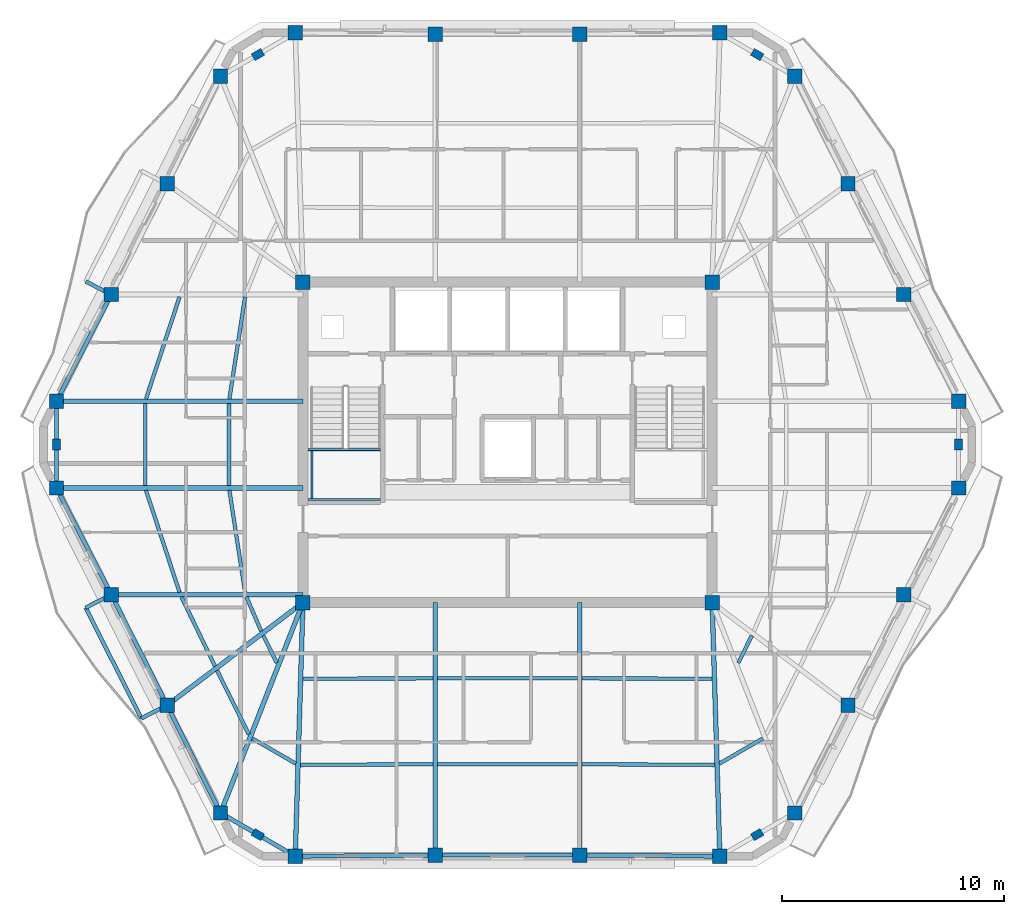
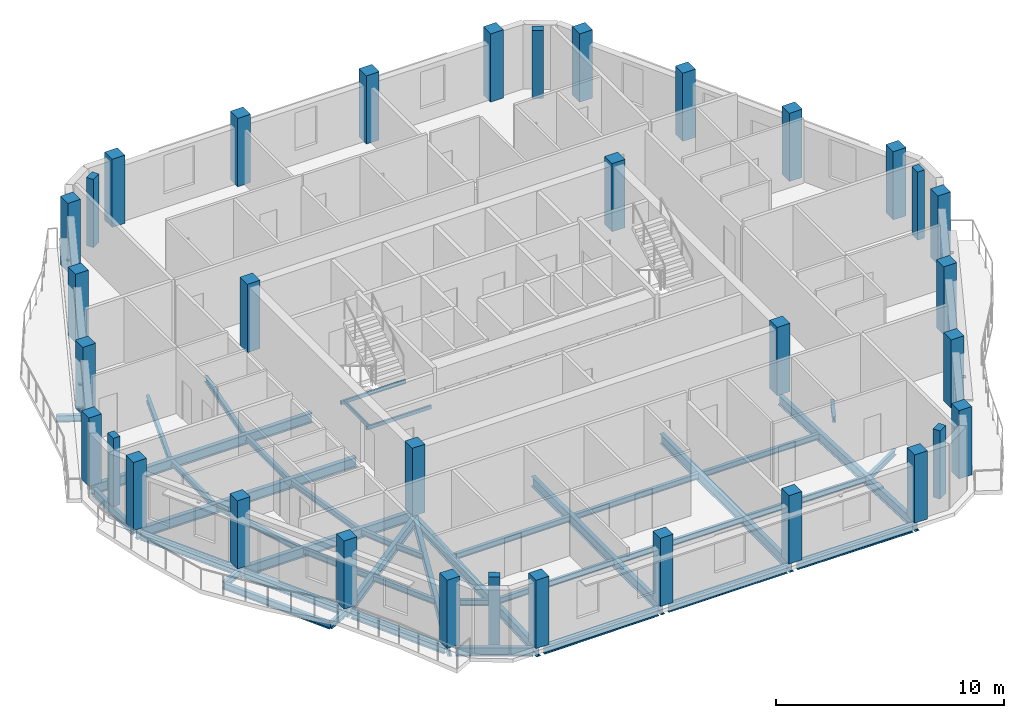
# One storey, part 1 of 11: 44 beams, 34 columns.
"""IFC4 building model written with IfcOpenShell, lengths in metres."""

from ifc_helpers import new_model, si_unit, direction, frame, origin, origin_2d, place, context, subcontext, project, spatial, rectangle, hollow_rectangle, i_section, extrude, material, material_profile, profile_set, type_object, element, save


model = new_model("IFC4")

# Units and contexts
model_context = context("Model", 3, precision=1e-05, world=origin(), true_north=direction((0.0, 1.0)))
body_context = subcontext(model_context, "Body", "Model", "MODEL_VIEW")
ifc_project = project(units=[si_unit("LENGTHUNIT", "METRE"), si_unit("AREAUNIT", "SQUARE_METRE"), si_unit("VOLUMEUNIT", "CUBIC_METRE"), si_unit("PLANEANGLEUNIT", "RADIAN"), si_unit("MASSUNIT", "GRAM", prefix="KILO")], contexts=[model_context])

# Site, building, storey
site_placement = place(None, origin())
site = spatial("IfcSite", under=ifc_project, at=site_placement, CompositionType="ELEMENT")
building_placement = place(site_placement, origin())
building = spatial("IfcBuilding", under=site, at=building_placement, Name="Cinnabar Lancet Tower", CompositionType="ELEMENT")
storey_placement = place(building_placement, frame((0.0, 0.0, 259.85009765625)))
storey = spatial("IfcBuildingStorey", under=building, at=storey_placement, Name="L69", CompositionType="ELEMENT", Elevation=259.85009765625)

# Columns
ifc_material_1 = material(Name="Concrete C50/60", Category="concrete")
ifc_material_profile_1 = material_profile(ifc_material_1, rectangle(XDim=0.64990234375, YDim=0.64990234375, at=origin_2d()), Name="RC-COL 650x650")
ifc_profile_set_1 = profile_set([ifc_material_profile_1], Name="Concrete C50/60")
column_type_1 = type_object("IfcColumnType", Name="STR-COL-CORE-650B", PredefinedType="COLUMN", material=ifc_profile_set_1)
for number, where, z_axis, x_axis, name in (
    (1, (23.175048828125, 18.675048828125, 0.0), (0.0, 0.0, 1.0), (1.0, 0.0, 0.0), "L69 Core Corner Column SW"),
    (2, (41.625, 18.675048828125, 0.0), (0.0, 0.0, 1.0), (1.0, 0.0, 0.0), "L69 Core Corner Column SE"),
    (3, (41.625, 33.125, 0.0), (0.0, 0.0, 1.0), (1.0, 0.0, 0.0), "L69 Core Corner Column NE"),
    (4, (23.175048828125, 33.125, 0.0), (0.0, 0.0, 1.0), (1.0, 0.0, 0.0), "L69 Core Corner Column NW"),
):
    element("IfcColumn", number, at=place(storey_placement, frame(where, z_axis=z_axis, x_axis=x_axis)), inside=storey, type_object=column_type_1, Name=name, PredefinedType="COLUMN", context=body_context, shape_type="SweptSolid", body=[
        extrude(rectangle(XDim=0.64990234375, YDim=0.64990234375, at=origin_2d()), origin(), (0.0, 0.0, 1.0), 3.64990234375),
    ])
ifc_material_2 = material(Name="Concrete C60/75", Category="concrete")
ifc_material_profile_2 = material_profile(ifc_material_2, rectangle(XDim=0.5, YDim=0.35009765625, at=origin_2d()), Name="RC-PIL 500x350")
ifc_profile_set_2 = profile_set([ifc_material_profile_2], Name="Concrete C60/75")
column_type_2 = type_object("IfcColumnType", Name="STR-COL-PIL-500", PredefinedType="PILASTER", material=ifc_profile_set_2)
for number, where, z_axis, x_axis, name in (
    (5, (21.14306640625, 8.215087890625, 0.0), (0.0, 0.0, 1.0), (0.865256437757, -0.501329529272, 0.0), "L69 Chamfered Corner Pilaster 1"),
    (6, (43.656982421875, 8.215087890625, 0.0), (0.0, 0.0, 1.0), (0.865256437757, 0.501329529272, 0.0), "L69 Chamfered Corner Pilaster 2"),
    (7, (52.737060546875, 25.800048828125, 0.0), (0.0, 0.0, 1.0), (0.0, 1.0, 0.0), "L69 Chamfered Corner Pilaster 3"),
    (8, (43.656982421875, 43.385009765625, 0.0), (0.0, 0.0, 1.0), (-0.865256437757, 0.501329529272, 0.0), "L69 Chamfered Corner Pilaster 4"),
    (9, (21.14306640625, 43.385009765625, 0.0), (0.0, 0.0, 1.0), (-0.865256437757, -0.501329529272, 0.0), "L69 Chamfered Corner Pilaster 5"),
    (10, (12.06298828125, 25.800048828125, 0.0), (0.0, 0.0, 1.0), (0.0, -1.0, 0.0), "L69 Chamfered Corner Pilaster 6"),
):
    element("IfcColumn", number, at=place(storey_placement, frame(where, z_axis=z_axis, x_axis=x_axis)), inside=storey, type_object=column_type_2, Name=name, PredefinedType="PILASTER", context=body_context, shape_type="SweptSolid", body=[
        extrude(rectangle(XDim=0.5, YDim=0.35009765625, at=origin_2d()), origin(), (0.0, 0.0, 1.0), 3.64990234375),
    ])
ifc_material_3 = material(Name="Concrete C50/60", Category="concrete")
ifc_material_profile_3 = material_profile(ifc_material_3, rectangle(XDim=0.64990234375, YDim=0.64990234375, at=origin_2d()), Name="RC-COL 650x650")
ifc_profile_set_3 = profile_set([ifc_material_profile_3], Name="Concrete C50/60")
column_type_3 = type_object("IfcColumnType", Name="STR-COL-TUBE-650", PredefinedType="COLUMN", material=ifc_profile_set_3)
for number, where, z_axis, x_axis, name in (
    (11, (22.827880859375, 7.239013671875, 0.0), (0.0, 0.0, 1.0), (1.0, 0.0, 0.0), "L69 Perimeter Tube Column 1"),
    (12, (29.14599609375, 7.2919921875, 0.0), (0.0, 0.0, 1.0), (1.0, 0.0, 0.0), "L69 Perimeter Tube Column 2"),
    (13, (35.654052734375, 7.2919921875, 0.0), (0.0, 0.0, 1.0), (1.0, 0.0, 0.0), "L69 Perimeter Tube Column 3"),
    (14, (41.971923828125, 7.239013671875, 0.0), (0.0, 0.0, 1.0), (1.0, 0.0, 0.0), "L69 Perimeter Tube Column 4"),
    (15, (45.341064453125, 9.19091796875, 0.0), (0.0, 0.0, 1.0), (1.0, 0.0, 0.0), "L69 Perimeter Tube Column 5"),
    (16, (47.7490234375, 14.0458984375, 0.0), (0.0, 0.0, 1.0), (1.0, 0.0, 0.0), "L69 Perimeter Tube Column 6"),
    (17, (50.263916015625, 19.032958984375, 0.0), (0.0, 0.0, 1.0), (1.0, 0.0, 0.0), "L69 Perimeter Tube Column 7"),
    (18, (52.737060546875, 23.844970703125, 0.0), (0.0, 0.0, 1.0), (1.0, 0.0, 0.0), "L69 Perimeter Tube Column 8"),
    (19, (52.737060546875, 27.7548828125, 0.0), (0.0, 0.0, 1.0), (1.0, 0.0, 0.0), "L69 Perimeter Tube Column 9"),
    (20, (50.263916015625, 32.56689453125, 0.0), (0.0, 0.0, 1.0), (1.0, 0.0, 0.0), "L69 Perimeter Tube Column 10"),
    (21, (47.7490234375, 37.553955078125, 0.0), (0.0, 0.0, 1.0), (1.0, 0.0, 0.0), "L69 Perimeter Tube Column 11"),
    (22, (45.341064453125, 42.408935546875, 0.0), (0.0, 0.0, 1.0), (1.0, 0.0, 0.0), "L69 Perimeter Tube Column 12"),
    (23, (41.971923828125, 44.361083984375, 0.0), (0.0, 0.0, 1.0), (1.0, 0.0, 0.0), "L69 Perimeter Tube Column 13"),
    (24, (35.654052734375, 44.30810546875, 0.0), (0.0, 0.0, 1.0), (1.0, 0.0, 0.0), "L69 Perimeter Tube Column 14"),
    (25, (29.14599609375, 44.30810546875, 0.0), (0.0, 0.0, 1.0), (1.0, 0.0, 0.0), "L69 Perimeter Tube Column 15"),
    (26, (22.827880859375, 44.361083984375, 0.0), (0.0, 0.0, 1.0), (1.0, 0.0, 0.0), "L69 Perimeter Tube Column 16"),
    (27, (19.458984375, 42.408935546875, 0.0), (0.0, 0.0, 1.0), (1.0, 0.0, 0.0), "L69 Perimeter Tube Column 17"),
    (28, (17.051025390625, 37.553955078125, 0.0), (0.0, 0.0, 1.0), (1.0, 0.0, 0.0), "L69 Perimeter Tube Column 18"),
    (29, (14.535888671875, 32.56689453125, 0.0), (0.0, 0.0, 1.0), (1.0, 0.0, 0.0), "L69 Perimeter Tube Column 19"),
    (30, (12.06298828125, 27.7548828125, 0.0), (0.0, 0.0, 1.0), (1.0, 0.0, 0.0), "L69 Perimeter Tube Column 20"),
    (31, (12.06298828125, 23.844970703125, 0.0), (0.0, 0.0, 1.0), (1.0, 0.0, 0.0), "L69 Perimeter Tube Column 21"),
    (32, (14.535888671875, 19.032958984375, 0.0), (0.0, 0.0, 1.0), (1.0, 0.0, 0.0), "L69 Perimeter Tube Column 22"),
    (33, (17.051025390625, 14.0458984375, 0.0), (0.0, 0.0, 1.0), (1.0, 0.0, 0.0), "L69 Perimeter Tube Column 23"),
    (34, (19.458984375, 9.19091796875, 0.0), (0.0, 0.0, 1.0), (1.0, 0.0, 0.0), "L69 Perimeter Tube Column 24"),
):
    element("IfcColumn", number, at=place(storey_placement, frame(where, z_axis=z_axis, x_axis=x_axis)), inside=storey, type_object=column_type_3, Name=name, PredefinedType="COLUMN", context=body_context, shape_type="SweptSolid", body=[
        extrude(rectangle(XDim=0.64990234375, YDim=0.64990234375, at=origin_2d()), origin(), (0.0, 0.0, 1.0), 3.64990234375),
    ])

# Beams
ifc_material_4 = material(Name="Structural steel S355", Category="steel")
ifc_material_profile_4 = material_profile(ifc_material_4, i_section(OverallWidth=0.1650390625, OverallDepth=0.303466796875, WebThickness=0.006103515625, FlangeThickness=0.01025390625, FilletRadius=0.0087890625, at=origin_2d()), Name="UKB 305x165x40")
ifc_profile_set_4 = profile_set([ifc_material_profile_4], Name="Structural steel S355")
beam_type_1 = type_object("IfcBeamType", Name="STR-BM-JST-305", PredefinedType="JOIST", material=ifc_profile_set_4)
beam_1_placement = place(storey_placement, frame((16.097900390625, 23.739990234375, -0.35205078125), z_axis=(0.312536616989, -0.949905712711, 0.0), x_axis=(0.949905712711, 0.312536616989, 0.0)))
element("IfcBeam", 35, at=beam_1_placement, inside=storey, type_object=beam_type_1, Name="L69 Secondary Floor Joist 1", PredefinedType="JOIST", context=body_context, shape_type="SweptSolid", body=[
    extrude(i_section(OverallWidth=0.1650390625, OverallDepth=0.303466796875, WebThickness=0.006103515625, FlangeThickness=0.01025390625, FilletRadius=0.0087890625, at=origin_2d()), origin(), (0.0, 0.0, 1.0), 4.8447265625),
])
beam_2_placement = place(storey_placement, frame((19.85791015625, 23.739990234375, -0.35205078125), z_axis=(0.152262059154, -0.988340156698, 0.0), x_axis=(0.988340156698, 0.152262059154, 0.0)))
element("IfcBeam", 36, at=beam_2_placement, inside=storey, type_object=beam_type_1, Name="L69 Secondary Floor Joist 2", PredefinedType="JOIST", context=body_context, shape_type="SweptSolid", body=[
    extrude(i_section(OverallWidth=0.1650390625, OverallDepth=0.303466796875, WebThickness=0.006103515625, FlangeThickness=0.01025390625, FilletRadius=0.0087890625, at=origin_2d()), origin(), (0.0, 0.0, 1.0), 4.65625),
])
beam_3_placement = place(storey_placement, frame((17.697021484375, 18.927978515625, -0.35205078125), z_axis=(0.43610936109, -0.899893674369, 0.0), x_axis=(0.899893674369, 0.43610936109, 0.0)))
element("IfcBeam", 37, at=beam_3_placement, inside=storey, type_object=beam_type_1, Name="L69 Secondary Floor Joist 3", PredefinedType="JOIST", context=body_context, shape_type="SweptSolid", body=[
    extrude(i_section(OverallWidth=0.1650390625, OverallDepth=0.303466796875, WebThickness=0.006103515625, FlangeThickness=0.01025390625, FilletRadius=0.0087890625, at=origin_2d()), origin(), (0.0, 0.0, 1.0), 3.467041015625),
])
beam_4_placement = place(storey_placement, frame((20.62890625, 18.927978515625, -0.35205078125), z_axis=(0.396302440144, -0.91812002262, 0.0), x_axis=(0.91812002262, 0.396302440144, 0.0)))
element("IfcBeam", 38, at=beam_4_placement, inside=storey, type_object=beam_type_1, Name="L69 Secondary Floor Joist 4", PredefinedType="JOIST", context=body_context, shape_type="SweptSolid", body=[
    extrude(i_section(OverallWidth=0.1650390625, OverallDepth=0.303466796875, WebThickness=0.006103515625, FlangeThickness=0.01025390625, FilletRadius=0.0087890625, at=origin_2d()), origin(), (0.0, 0.0, 1.0), 1.6806640625),
])
beam_5_placement = place(storey_placement, frame((19.302978515625, 15.616943359375, -0.35205078125), z_axis=(0.444330443712, -0.895862967641, 0.0), x_axis=(0.895862967641, 0.444330443712, 0.0)))
element("IfcBeam", 39, at=beam_5_placement, inside=storey, type_object=beam_type_1, Name="L69 Secondary Floor Joist 5", PredefinedType="JOIST", context=body_context, shape_type="SweptSolid", body=[
    extrude(i_section(OverallWidth=0.1650390625, OverallDepth=0.303466796875, WebThickness=0.006103515625, FlangeThickness=0.01025390625, FilletRadius=0.0087890625, at=origin_2d()), origin(), (0.0, 0.0, 1.0), 3.220458984375),
])
beam_6_placement = place(storey_placement, frame((21.385009765625, 17.19091796875, -0.35205078125), z_axis=(0.444093192127, -0.89598060063, 0.0), x_axis=(0.89598060063, 0.444093192127, 0.0)))
element("IfcBeam", 40, at=beam_6_placement, inside=storey, type_object=beam_type_1, Name="L69 Secondary Floor Joist 6", PredefinedType="JOIST", context=body_context, shape_type="SweptSolid", body=[
    extrude(i_section(OverallWidth=0.1650390625, OverallDepth=0.303466796875, WebThickness=0.006103515625, FlangeThickness=0.01025390625, FilletRadius=0.0087890625, at=origin_2d()), origin(), (0.0, 0.0, 1.0), 1.378173828125),
])
beam_7_placement = place(storey_placement, frame((20.887939453125, 12.552001953125, -0.35205078125), z_axis=(0.865426285481, -0.501036270542, 0.0), x_axis=(0.501036270542, 0.865426285481, 0.0)))
element("IfcBeam", 41, at=beam_7_placement, inside=storey, type_object=beam_type_1, Name="L69 Secondary Floor Joist 7", PredefinedType="JOIST", context=body_context, shape_type="SweptSolid", body=[
    extrude(i_section(OverallWidth=0.1650390625, OverallDepth=0.303466796875, WebThickness=0.006103515625, FlangeThickness=0.01025390625, FilletRadius=0.0087890625, at=origin_2d()), origin(), (0.0, 0.0, 1.0), 2.267333984375),
])
beam_8_placement = place(storey_placement, frame((23.05810546875, 11.35693359375, -0.35205078125), z_axis=(0.999985712428, 0.005345553266, 0.0), x_axis=(-0.005345553266, 0.999985712428, 0.0)))
element("IfcBeam", 42, at=beam_8_placement, inside=storey, type_object=beam_type_1, Name="L69 Secondary Floor Joist 8", PredefinedType="JOIST", context=body_context, shape_type="SweptSolid", body=[
    extrude(i_section(OverallWidth=0.1650390625, OverallDepth=0.303466796875, WebThickness=0.006103515625, FlangeThickness=0.01025390625, FilletRadius=0.0087890625, at=origin_2d()), origin(), (0.0, 0.0, 1.0), 5.98291015625),
])
beam_9_placement = place(storey_placement, frame((23.176025390625, 15.243896484375, -0.35205078125), z_axis=(0.999996226008, 0.002747356738, 0.0), x_axis=(-0.002747356738, 0.999996226008, 0.0)))
element("IfcBeam", 43, at=beam_9_placement, inside=storey, type_object=beam_type_1, Name="L69 Secondary Floor Joist 9", PredefinedType="JOIST", context=body_context, shape_type="SweptSolid", body=[
    extrude(i_section(OverallWidth=0.1650390625, OverallDepth=0.303466796875, WebThickness=0.006103515625, FlangeThickness=0.01025390625, FilletRadius=0.0087890625, at=origin_2d()), origin(), (0.0, 0.0, 1.0), 5.864990234375),
])
for number, where, z_axis, x_axis, name in (
    (44, (29.2509765625, 11.389892578125, -0.35205078125), (1.0, 0.0, 0.0), (0.0, 1.0, 0.0), "L69 Secondary Floor Joist 10"),
    (45, (29.2509765625, 15.260009765625, -0.35205078125), (1.0, 0.0, 0.0), (0.0, 1.0, 0.0), "L69 Secondary Floor Joist 11"),
):
    element("IfcBeam", number, at=place(storey_placement, frame(where, z_axis=z_axis, x_axis=x_axis)), inside=storey, type_object=beam_type_1, Name=name, PredefinedType="JOIST", context=body_context, shape_type="SweptSolid", body=[
        extrude(i_section(OverallWidth=0.1650390625, OverallDepth=0.303466796875, WebThickness=0.006103515625, FlangeThickness=0.01025390625, FilletRadius=0.0087890625, at=origin_2d()), origin(), (0.0, 0.0, 1.0), 6.298095703125),
    ])
beam_10_placement = place(storey_placement, frame((35.759033203125, 11.388916015625, -0.35205078125), z_axis=(0.999985712428, -0.005345553266, 0.0), x_axis=(0.005345553266, 0.999985712428, 0.0)))
element("IfcBeam", 46, at=beam_10_placement, inside=storey, type_object=beam_type_1, Name="L69 Secondary Floor Joist 12", PredefinedType="JOIST", context=body_context, shape_type="SweptSolid", body=[
    extrude(i_section(OverallWidth=0.1650390625, OverallDepth=0.303466796875, WebThickness=0.006103515625, FlangeThickness=0.01025390625, FilletRadius=0.0087890625, at=origin_2d()), origin(), (0.0, 0.0, 1.0), 5.98291015625),
])
beam_11_placement = place(storey_placement, frame((35.759033203125, 15.260009765625, -0.35205078125), z_axis=(0.999996226008, -0.002747356738, 0.0), x_axis=(0.002747356738, 0.999996226008, 0.0)))
element("IfcBeam", 47, at=beam_11_placement, inside=storey, type_object=beam_type_1, Name="L69 Secondary Floor Joist 13", PredefinedType="JOIST", context=body_context, shape_type="SweptSolid", body=[
    extrude(i_section(OverallWidth=0.1650390625, OverallDepth=0.303466796875, WebThickness=0.006103515625, FlangeThickness=0.01025390625, FilletRadius=0.0087890625, at=origin_2d()), origin(), (0.0, 0.0, 1.0), 5.864990234375),
])
beam_12_placement = place(storey_placement, frame((41.949951171875, 11.416015625, -0.35205078125), z_axis=(0.865426285481, 0.501036270542, 0.0), x_axis=(-0.501036270542, 0.865426285481, 0.0)))
element("IfcBeam", 48, at=beam_12_placement, inside=storey, type_object=beam_type_1, Name="L69 Secondary Floor Joist 14", PredefinedType="JOIST", context=body_context, shape_type="SweptSolid", body=[
    extrude(i_section(OverallWidth=0.1650390625, OverallDepth=0.303466796875, WebThickness=0.006103515625, FlangeThickness=0.01025390625, FilletRadius=0.0087890625, at=origin_2d()), origin(), (0.0, 0.0, 1.0), 2.267333984375),
])
beam_13_placement = place(storey_placement, frame((42.802978515625, 15.9560546875, -0.35205078125), z_axis=(0.444093192127, 0.89598060063, 0.0), x_axis=(-0.89598060063, 0.444093192127, 0.0)))
element("IfcBeam", 49, at=beam_13_placement, inside=storey, type_object=beam_type_1, Name="L69 Secondary Floor Joist 16", PredefinedType="JOIST", context=body_context, shape_type="SweptSolid", body=[
    extrude(i_section(OverallWidth=0.1650390625, OverallDepth=0.303466796875, WebThickness=0.006103515625, FlangeThickness=0.01025390625, FilletRadius=0.0087890625, at=origin_2d()), origin(), (0.0, 0.0, 1.0), 1.378173828125),
])
beam_14_placement = place(storey_placement, frame((17.612060546875, 32.4619140625, -0.35205078125), z_axis=(-0.312551578319, -0.949900790025, 0.0), x_axis=(0.949900790025, -0.312551578319, 0.0)))
element("IfcBeam", 50, at=beam_14_placement, inside=storey, type_object=beam_type_1, Name="L69 Secondary Floor Joist 41", PredefinedType="JOIST", context=body_context, shape_type="SweptSolid", body=[
    extrude(i_section(OverallWidth=0.1650390625, OverallDepth=0.303466796875, WebThickness=0.006103515625, FlangeThickness=0.01025390625, FilletRadius=0.0087890625, at=origin_2d()), origin(), (0.0, 0.0, 1.0), 4.844482421875),
])
beam_15_placement = place(storey_placement, frame((20.56689453125, 32.4619140625, -0.35205078125), z_axis=(-0.152269949853, -0.988338941038, 0.0), x_axis=(0.988338941038, -0.152269949853, 0.0)))
element("IfcBeam", 51, at=beam_15_placement, inside=storey, type_object=beam_type_1, Name="L69 Secondary Floor Joist 42", PredefinedType="JOIST", context=body_context, shape_type="SweptSolid", body=[
    extrude(i_section(OverallWidth=0.1650390625, OverallDepth=0.303466796875, WebThickness=0.006103515625, FlangeThickness=0.01025390625, FilletRadius=0.0087890625, at=origin_2d()), origin(), (0.0, 0.0, 1.0), 4.656005859375),
])
for number, where, z_axis, x_axis, name in (
    (52, (16.06298828125, 27.64990234375, -0.35205078125), (0.0, -1.0, 0.0), (1.0, 0.0, 0.0), "L69 Secondary Floor Joist 43"),
    (53, (19.841064453125, 27.64990234375, -0.35205078125), (0.0, -1.0, 0.0), (1.0, 0.0, 0.0), "L69 Secondary Floor Joist 44"),
):
    element("IfcBeam", number, at=place(storey_placement, frame(where, z_axis=z_axis, x_axis=x_axis)), inside=storey, type_object=beam_type_1, Name=name, PredefinedType="JOIST", context=body_context, shape_type="SweptSolid", body=[
        extrude(i_section(OverallWidth=0.1650390625, OverallDepth=0.303466796875, WebThickness=0.006103515625, FlangeThickness=0.01025390625, FilletRadius=0.0087890625, at=origin_2d()), origin(), (0.0, 0.0, 1.0), 3.699951171875),
    ])
ifc_material_5 = material(Name="Structural steel S355", Category="steel")
ifc_material_profile_5 = material_profile(ifc_material_5, hollow_rectangle(XDim=0.10009765625, YDim=0.199951171875, WallThickness=0.008056640625, InnerFilletRadius=0.00390625, OuterFilletRadius=0.011962890625, at=origin_2d()), Name="RHS 200x100x8")
ifc_profile_set_5 = profile_set([ifc_material_profile_5], Name="Structural steel S355")
beam_type_2 = type_object("IfcBeamType", Name="STR-BM-LND-203", PredefinedType="BEAM", material=ifc_profile_set_5)
for number, where, z_axis, x_axis, name in (
    (54, (23.39990234375, 23.330078125, 1.52490234375), (1.0, 0.0, 0.0), (0.0, 1.0, 0.0), "L69 ST-1-L69 Landing Support Beam S"),
    (55, (23.39990234375, 25.570068359375, 1.52490234375), (1.0, 0.0, 0.0), (0.0, 1.0, 0.0), "L69 ST-1-L69 Landing Support Beam N"),
):
    element("IfcBeam", number, at=place(storey_placement, frame(where, z_axis=z_axis, x_axis=x_axis)), inside=storey, type_object=beam_type_2, Name=name, PredefinedType="BEAM", context=body_context, shape_type="SweptSolid", body=[
        extrude(hollow_rectangle(XDim=0.10009765625, YDim=0.199951171875, WallThickness=0.008056640625, InnerFilletRadius=0.00390625, OuterFilletRadius=0.011962890625, at=origin_2d()), origin(), (0.0, 0.0, 1.0), 3.280029296875),
    ])
beam_16_placement = place(storey_placement, frame((23.580078125, 23.3798828125, 1.52490234375), z_axis=(0.0, 1.0, 0.0), x_axis=(-1.0, 0.0, 0.0)))
element("IfcBeam", 56, at=beam_16_placement, inside=storey, type_object=beam_type_2, Name="L69 ST-1-L69 Landing Side Trimmer Beam", PredefinedType="BEAM", context=body_context, shape_type="SweptSolid", body=[
    extrude(hollow_rectangle(XDim=0.10009765625, YDim=0.199951171875, WallThickness=0.008056640625, InnerFilletRadius=0.00390625, OuterFilletRadius=0.011962890625, at=origin_2d()), origin(), (0.0, 0.0, 1.0), 2.14013671875),
])
ifc_material_6 = material(Name="Structural steel S355", Category="steel")
ifc_material_profile_6 = material_profile(ifc_material_6, i_section(OverallWidth=0.1904296875, OverallDepth=0.45703125, WebThickness=0.009033203125, FlangeThickness=0.014404296875, FilletRadius=0.01025390625, at=origin_2d()), Name="UKB 457x191x74")
ifc_profile_set_6 = profile_set([ifc_material_profile_6], Name="Structural steel S355")
beam_type_3 = type_object("IfcBeamType", Name="STR-BM-SPN-457", PredefinedType="SPANDREL", material=ifc_profile_set_6)
beam_17_placement = place(storey_placement, frame((23.077880859375, 7.240966796875, -0.42919921875), z_axis=(0.999964432412, 0.008434092187, 0.0), x_axis=(-0.008434092187, 0.999964432412, 0.0)))
element("IfcBeam", 57, at=beam_17_placement, inside=storey, type_object=beam_type_3, Name="L69 Perimeter Spandrel 1", PredefinedType="SPANDREL", context=body_context, shape_type="SweptSolid", body=[
    extrude(i_section(OverallWidth=0.1904296875, OverallDepth=0.45703125, WebThickness=0.009033203125, FlangeThickness=0.014404296875, FilletRadius=0.01025390625, at=origin_2d()), origin(), (0.0, 0.0, 1.0), 5.818359375),
])
beam_18_placement = place(storey_placement, frame((29.39599609375, 7.2919921875, -0.42919921875), z_axis=(1.0, 0.0, 0.0), x_axis=(0.0, 1.0, 0.0)))
element("IfcBeam", 58, at=beam_18_placement, inside=storey, type_object=beam_type_3, Name="L69 Perimeter Spandrel 2", PredefinedType="SPANDREL", context=body_context, shape_type="SweptSolid", body=[
    extrude(i_section(OverallWidth=0.1904296875, OverallDepth=0.45703125, WebThickness=0.009033203125, FlangeThickness=0.014404296875, FilletRadius=0.01025390625, at=origin_2d()), origin(), (0.0, 0.0, 1.0), 6.008056640625),
])
beam_19_placement = place(storey_placement, frame((35.904052734375, 7.2900390625, -0.42919921875), z_axis=(0.999964429427, -0.00843444609, 0.0), x_axis=(0.00843444609, 0.999964429427, 0.0)))
element("IfcBeam", 59, at=beam_19_placement, inside=storey, type_object=beam_type_3, Name="L69 Perimeter Spandrel 3", PredefinedType="SPANDREL", context=body_context, shape_type="SweptSolid", body=[
    extrude(i_section(OverallWidth=0.1904296875, OverallDepth=0.45703125, WebThickness=0.009033203125, FlangeThickness=0.014404296875, FilletRadius=0.01025390625, at=origin_2d()), origin(), (0.0, 0.0, 1.0), 5.818115234375),
])
beam_20_placement = place(storey_placement, frame((14.422119140625, 32.344970703125, -0.42919921875), z_axis=(-0.457148063427, -0.889390604912, 0.0), x_axis=(0.889390604912, -0.457148063427, 0.0)))
element("IfcBeam", 60, at=beam_20_placement, inside=storey, type_object=beam_type_3, Name="L69 Perimeter Spandrel 19", PredefinedType="SPANDREL", context=body_context, shape_type="SweptSolid", body=[
    extrude(i_section(OverallWidth=0.1904296875, OverallDepth=0.45703125, WebThickness=0.009033203125, FlangeThickness=0.014404296875, FilletRadius=0.01025390625, at=origin_2d()), origin(), (0.0, 0.0, 1.0), 4.9111328125),
])
beam_21_placement = place(storey_placement, frame((12.06298828125, 27.5048828125, -0.42919921875), z_axis=(0.0, -1.0, 0.0), x_axis=(1.0, 0.0, 0.0)))
element("IfcBeam", 61, at=beam_21_placement, inside=storey, type_object=beam_type_3, Name="L69 Perimeter Spandrel 20", PredefinedType="SPANDREL", context=body_context, shape_type="SweptSolid", body=[
    extrude(i_section(OverallWidth=0.1904296875, OverallDepth=0.45703125, WebThickness=0.009033203125, FlangeThickness=0.014404296875, FilletRadius=0.01025390625, at=origin_2d()), origin(), (0.0, 0.0, 1.0), 3.409912109375),
])
beam_22_placement = place(storey_placement, frame((12.177001953125, 23.623046875, -0.42919921875), z_axis=(0.457127852293, -0.889400993174, 0.0), x_axis=(0.889400993174, 0.457127852293, 0.0)))
element("IfcBeam", 62, at=beam_22_placement, inside=storey, type_object=beam_type_3, Name="L69 Perimeter Spandrel 21", PredefinedType="SPANDREL", context=body_context, shape_type="SweptSolid", body=[
    extrude(i_section(OverallWidth=0.1904296875, OverallDepth=0.45703125, WebThickness=0.009033203125, FlangeThickness=0.014404296875, FilletRadius=0.01025390625, at=origin_2d()), origin(), (0.0, 0.0, 1.0), 4.911376953125),
])
beam_23_placement = place(storey_placement, frame((14.64892578125, 18.81005859375, -0.42919921875), z_axis=(0.450130146726, -0.892962961722, 0.0), x_axis=(0.892962961722, 0.450130146726, 0.0)))
element("IfcBeam", 63, at=beam_23_placement, inside=storey, type_object=beam_type_3, Name="L69 Perimeter Spandrel 22", PredefinedType="SPANDREL", context=body_context, shape_type="SweptSolid", body=[
    extrude(i_section(OverallWidth=0.1904296875, OverallDepth=0.45703125, WebThickness=0.009033203125, FlangeThickness=0.014404296875, FilletRadius=0.01025390625, at=origin_2d()), origin(), (0.0, 0.0, 1.0), 5.08544921875),
])
beam_24_placement = place(storey_placement, frame((17.162109375, 13.822021484375, -0.42919921875), z_axis=(0.44433276947, -0.895861814107, 0.0), x_axis=(0.895861814107, 0.44433276947, 0.0)))
element("IfcBeam", 64, at=beam_24_placement, inside=storey, type_object=beam_type_3, Name="L69 Perimeter Spandrel 23", PredefinedType="SPANDREL", context=body_context, shape_type="SweptSolid", body=[
    extrude(i_section(OverallWidth=0.1904296875, OverallDepth=0.45703125, WebThickness=0.009033203125, FlangeThickness=0.014404296875, FilletRadius=0.01025390625, at=origin_2d()), origin(), (0.0, 0.0, 1.0), 4.919189453125),
])
beam_25_placement = place(storey_placement, frame((19.675048828125, 9.06591796875, -0.42919921875), z_axis=(0.865230894194, -0.50137361292, 0.0), x_axis=(0.50137361292, 0.865230894194, 0.0)))
element("IfcBeam", 65, at=beam_25_placement, inside=storey, type_object=beam_type_3, Name="L69 Perimeter Spandrel 24", PredefinedType="SPANDREL", context=body_context, shape_type="SweptSolid", body=[
    extrude(i_section(OverallWidth=0.1904296875, OverallDepth=0.45703125, WebThickness=0.009033203125, FlangeThickness=0.014404296875, FilletRadius=0.01025390625, at=origin_2d()), origin(), (0.0, 0.0, 1.0), 3.39453125),
])
ifc_material_7 = material(Name="Structural steel S355", Category="steel")
ifc_material_profile_7 = material_profile(ifc_material_7, i_section(OverallWidth=0.209228515625, OverallDepth=0.533203125, WebThickness=0.010009765625, FlangeThickness=0.015625, FilletRadius=0.0126953125, at=origin_2d()), Name="UKB 533x210x92")
ifc_profile_set_7 = profile_set([ifc_material_profile_7], Name="Structural steel S355")
beam_type_4 = type_object("IfcBeamType", Name="STR-BM-UKB533-92", PredefinedType="BEAM", material=ifc_profile_set_7)
beam_26_placement = place(storey_placement, frame((17.051025390625, 14.0458984375, -0.467041015625), z_axis=(0.797735075719, 0.603008083667, 0.0), x_axis=(-0.603008083667, 0.797735075719, 0.0)))
element("IfcBeam", 66, at=beam_26_placement, inside=storey, type_object=beam_type_4, Name="L69 Corner Collector Girder 1", PredefinedType="BEAM", context=body_context, shape_type="SweptSolid", body=[
    extrude(i_section(OverallWidth=0.209228515625, OverallDepth=0.533203125, WebThickness=0.010009765625, FlangeThickness=0.015625, FilletRadius=0.0126953125, at=origin_2d()), origin(), (0.0, 0.0, 1.0), 7.6767578125),
])
beam_27_placement = place(storey_placement, frame((22.827880859375, 7.239013671875, -0.467041015625), z_axis=(0.030343393029, 0.999539533235, 0.0), x_axis=(-0.999539533235, 0.030343393029, 0.0)))
element("IfcBeam", 67, at=beam_27_placement, inside=storey, type_object=beam_type_4, Name="L69 Primary Floor Girder 1", PredefinedType="BEAM", context=body_context, shape_type="SweptSolid", body=[
    extrude(i_section(OverallWidth=0.209228515625, OverallDepth=0.533203125, WebThickness=0.010009765625, FlangeThickness=0.015625, FilletRadius=0.0126953125, at=origin_2d()), origin(), (0.0, 0.0, 1.0), 11.44140625),
])
for number, where, z_axis, x_axis, name in (
    (68, (29.14599609375, 7.2919921875, -0.467041015625), (0.0, 1.0, 0.0), (-1.0, 0.0, 0.0), "L69 Primary Floor Girder 2"),
    (69, (35.654052734375, 7.2919921875, -0.467041015625), (0.0, 1.0, 0.0), (-1.0, 0.0, 0.0), "L69 Primary Floor Girder 3"),
):
    element("IfcBeam", number, at=place(storey_placement, frame(where, z_axis=z_axis, x_axis=x_axis)), inside=storey, type_object=beam_type_4, Name=name, PredefinedType="BEAM", context=body_context, shape_type="SweptSolid", body=[
        extrude(i_section(OverallWidth=0.209228515625, OverallDepth=0.533203125, WebThickness=0.010009765625, FlangeThickness=0.015625, FilletRadius=0.0126953125, at=origin_2d()), origin(), (0.0, 0.0, 1.0), 11.383056640625),
    ])
beam_28_placement = place(storey_placement, frame((41.971923828125, 7.239013671875, -0.467041015625), z_axis=(-0.030322074123, 0.999540180193, 0.0), x_axis=(-0.999540180193, -0.030322074123, 0.0)))
element("IfcBeam", 70, at=beam_28_placement, inside=storey, type_object=beam_type_4, Name="L69 Primary Floor Girder 4", PredefinedType="BEAM", context=body_context, shape_type="SweptSolid", body=[
    extrude(i_section(OverallWidth=0.209228515625, OverallDepth=0.533203125, WebThickness=0.010009765625, FlangeThickness=0.015625, FilletRadius=0.0126953125, at=origin_2d()), origin(), (0.0, 0.0, 1.0), 11.44140625),
])
for number, where, z_axis, x_axis, name in (
    (71, (12.06298828125, 27.7548828125, -0.467041015625), (1.0, 0.0, 0.0), (0.0, 1.0, 0.0), "L69 Primary Floor Girder 20"),
    (72, (12.06298828125, 23.844970703125, -0.467041015625), (1.0, 0.0, 0.0), (0.0, 1.0, 0.0), "L69 Primary Floor Girder 21"),
):
    element("IfcBeam", number, at=place(storey_placement, frame(where, z_axis=z_axis, x_axis=x_axis)), inside=storey, type_object=beam_type_4, Name=name, PredefinedType="BEAM", context=body_context, shape_type="SweptSolid", body=[
        extrude(i_section(OverallWidth=0.209228515625, OverallDepth=0.533203125, WebThickness=0.010009765625, FlangeThickness=0.015625, FilletRadius=0.0126953125, at=origin_2d()), origin(), (0.0, 0.0, 1.0), 11.112060546875),
    ])
beam_29_placement = place(storey_placement, frame((14.535888671875, 19.032958984375, -0.467041015625), z_axis=(1.0, 0.0, 0.0), x_axis=(0.0, 1.0, 0.0)))
element("IfcBeam", 73, at=beam_29_placement, inside=storey, type_object=beam_type_4, Name="L69 Primary Floor Girder 22", PredefinedType="BEAM", context=body_context, shape_type="SweptSolid", body=[
    extrude(i_section(OverallWidth=0.209228515625, OverallDepth=0.533203125, WebThickness=0.010009765625, FlangeThickness=0.015625, FilletRadius=0.0126953125, at=origin_2d()), origin(), (0.0, 0.0, 1.0), 8.63916015625),
])
beam_30_placement = place(storey_placement, frame((19.458984375, 9.19091796875, -0.467041015625), z_axis=(0.364815017375, 0.931080019707, 0.0), x_axis=(-0.931080019707, 0.364815017375, 0.0)))
element("IfcBeam", 74, at=beam_30_placement, inside=storey, type_object=beam_type_4, Name="L69 Primary Floor Girder 24", PredefinedType="BEAM", context=body_context, shape_type="SweptSolid", body=[
    extrude(i_section(OverallWidth=0.209228515625, OverallDepth=0.533203125, WebThickness=0.010009765625, FlangeThickness=0.015625, FilletRadius=0.0126953125, at=origin_2d()), origin(), (0.0, 0.0, 1.0), 10.186279296875),
])
ifc_material_8 = material(Name="Structural steel S355", Category="steel")
ifc_material_profile_8 = material_profile(ifc_material_8, i_section(OverallWidth=0.17138671875, OverallDepth=0.35498046875, WebThickness=0.00732421875, FlangeThickness=0.011474609375, FilletRadius=0.01025390625, at=origin_2d()), Name="UKB 356x171x51")
ifc_profile_set_8 = profile_set([ifc_material_profile_8], Name="Structural steel S355")
beam_type_5 = type_object("IfcBeamType", Name="STR-BM-WAV-OUT", PredefinedType="BEAM", material=ifc_profile_set_8)
for number, where, z_axis, x_axis, name in (
    (75, (14.535888671875, 32.56689453125, -0.398193359375), (-0.892200264127, 0.451639998995, 0.0), (-0.451639998995, -0.892200264127, 0.0), "L69 Face 5 Balcony Outlooker B"),
    (76, (14.535888671875, 19.032958984375, -0.398193359375), (-0.89227592947, -0.451490493464, 0.0), (0.451490493464, -0.89227592947, 0.0), "L69 Face 6 Balcony Outlooker A"),
    (77, (17.051025390625, 14.0458984375, -0.398193359375), (-0.89227592947, -0.451490493464, 0.0), (0.451490493464, -0.89227592947, 0.0), "L69 Face 6 Balcony Outlooker B"),
):
    element("IfcBeam", number, at=place(storey_placement, frame(where, z_axis=z_axis, x_axis=x_axis)), inside=storey, type_object=beam_type_5, Name=name, PredefinedType="BEAM", context=body_context, shape_type="SweptSolid", body=[
        extrude(i_section(OverallWidth=0.17138671875, OverallDepth=0.35498046875, WebThickness=0.00732421875, FlangeThickness=0.011474609375, FilletRadius=0.01025390625, at=origin_2d()), origin(), (0.0, 0.0, 1.0), 1.300048828125),
    ])
ifc_material_9 = material(Name="Structural steel S355", Category="steel")
ifc_material_profile_9 = material_profile(ifc_material_9, i_section(OverallWidth=0.17138671875, OverallDepth=0.35498046875, WebThickness=0.00732421875, FlangeThickness=0.011474609375, FilletRadius=0.01025390625, at=origin_2d()), Name="UKB 356x171x51")
ifc_profile_set_9 = profile_set([ifc_material_profile_9], Name="Structural steel S355")
beam_type_6 = type_object("IfcBeamType", Name="STR-BM-WAV-TRIM", PredefinedType="SPANDREL", material=ifc_profile_set_9)
beam_31_placement = place(storey_placement, frame((13.3759765625, 18.446044921875, -0.398193359375), z_axis=(0.450305622338, -0.892874485295, 0.0), x_axis=(0.892874485295, 0.450305622338, 0.0)))
element("IfcBeam", 78, at=beam_31_placement, inside=storey, type_object=beam_type_6, Name="L69 Face 6 Balcony Edge Trimmer", PredefinedType="SPANDREL", context=body_context, shape_type="SweptSolid", body=[
    extrude(i_section(OverallWidth=0.17138671875, OverallDepth=0.35498046875, WebThickness=0.00732421875, FlangeThickness=0.011474609375, FilletRadius=0.01025390625, at=origin_2d()), origin(), (0.0, 0.0, 1.0), 5.58544921875),
])

save(model, "model.ifc")
